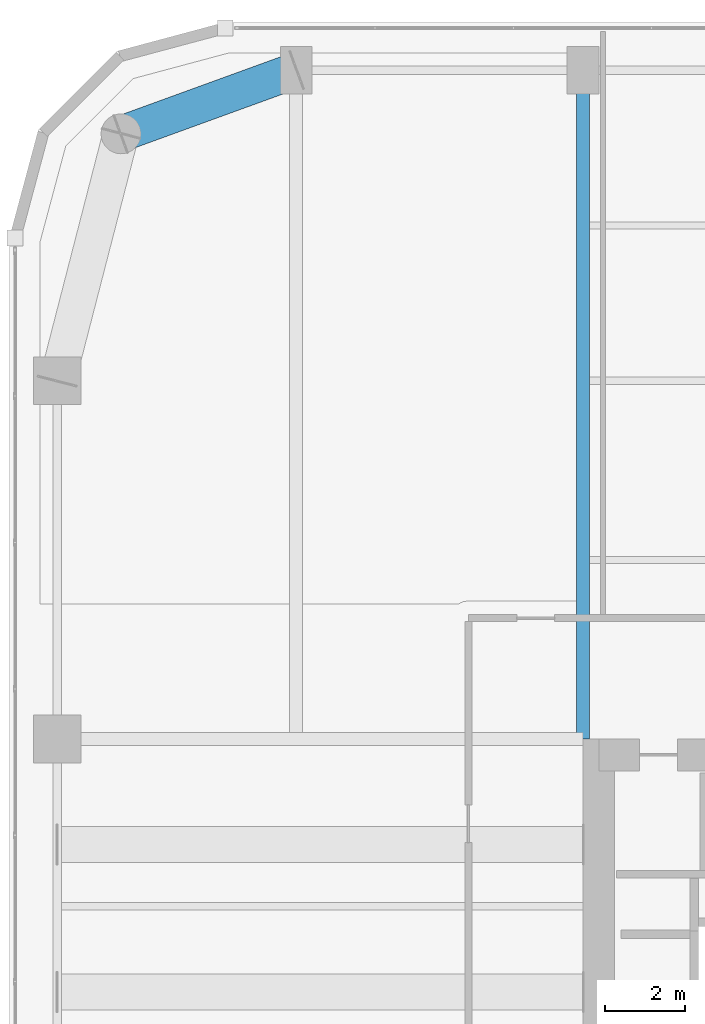
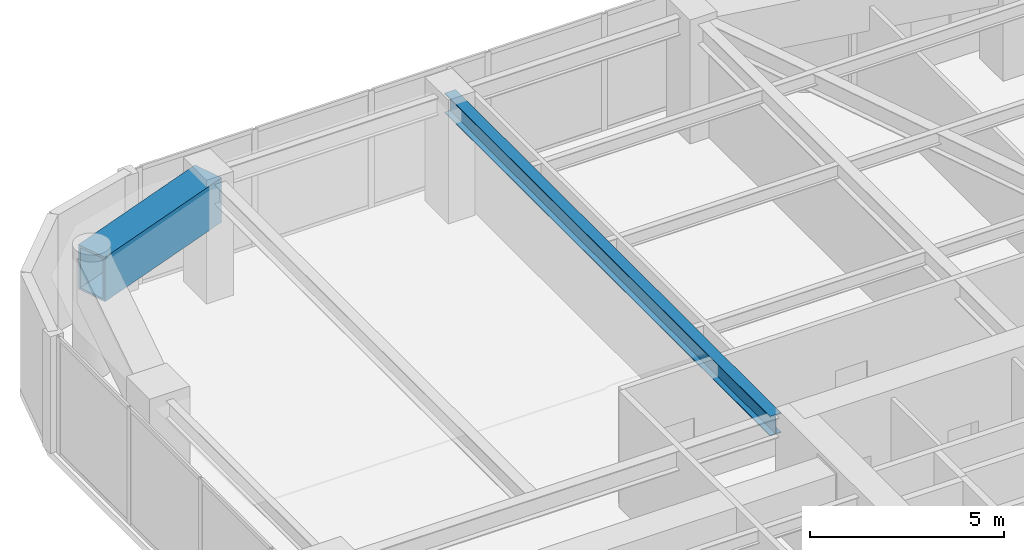
# One storey, part 16 of 30: 2 beams.
"""IFC4 building model written with IfcOpenShell, lengths in metres."""

from ifc_helpers import new_model, si_unit, direction, frame, origin, origin_2d, place, context, subcontext, project, spatial, hollow_rectangle, i_section, extrude, material, material_profile, profile_set, type_object, element, save


model = new_model("IFC4")

# Units and contexts
model_context = context("Model", 3, precision=1e-05, world=origin(), true_north=direction((0.0, 1.0)))
body_context = subcontext(model_context, "Body", "Model", "MODEL_VIEW")
ifc_project = project(units=[si_unit("LENGTHUNIT", "METRE"), si_unit("AREAUNIT", "SQUARE_METRE"), si_unit("VOLUMEUNIT", "CUBIC_METRE"), si_unit("PLANEANGLEUNIT", "RADIAN"), si_unit("MASSUNIT", "GRAM", prefix="KILO")], contexts=[model_context])

# Site, building, storey
site_placement = place(None, origin())
site = spatial("IfcSite", under=ifc_project, at=site_placement, CompositionType="ELEMENT")
building_placement = place(site_placement, origin())
building = spatial("IfcBuilding", under=site, at=building_placement, Name="Kiyonajd Concourse Tower", CompositionType="ELEMENT")
storey_placement = place(building_placement, frame((0.0, 0.0, 177.89990234375)))
storey = spatial("IfcBuildingStorey", under=building, at=storey_placement, Name="L45", CompositionType="ELEMENT", Elevation=177.89990234375)

# Beams
ifc_material_1 = material(Name="Steel ASTM A992 Grade 50", Category="steel")
ifc_material_profile_1 = material_profile(ifc_material_1, i_section(OverallWidth=0.326904296875, OverallDepth=0.6220703125, WebThickness=0.015380859375, FlangeThickness=0.0244140625, at=origin_2d()), Name="W610X195")
ifc_profile_set_1 = profile_set([ifc_material_profile_1], Name="Steel ASTM A992 Grade 50")
beam_type_1 = type_object("IfcBeamType", Name="BM-TWR-610A", PredefinedType="BEAM", material=ifc_profile_set_1)
beam_1_placement = place(storey_placement, frame((32.39990234375, 44.39990234375, 3.369140625), z_axis=(0.0, 1.0, 0.0), x_axis=(-1.0, 0.0, 0.0)))
element("IfcBeam", 1, at=beam_1_placement, inside=storey, type_object=beam_type_1, Name="L45 North Lease Girder", PredefinedType="BEAM", context=body_context, shape_type="SweptSolid", body=[
    extrude(i_section(OverallWidth=0.326904296875, OverallDepth=0.6220703125, WebThickness=0.015380859375, FlangeThickness=0.0244140625, at=origin_2d()), origin(), (0.0, 0.0, 1.0), 16.800048828125),
])
ifc_material_2 = material(Name="Steel ASTM A572 Grade 50", Category="steel")
ifc_material_profile_2 = material_profile(ifc_material_2, hollow_rectangle(XDim=0.89990234375, YDim=1.39990234375, WallThickness=0.070068359375, at=origin_2d()), Name="BOX-1400x900x70")
ifc_profile_set_2 = profile_set([ifc_material_profile_2], Name="Steel ASTM A572 Grade 50")
beam_type_2 = type_object("IfcBeamType", Name="BM-XFER-1400", PredefinedType="BEAM", material=ifc_profile_set_2)
beam_2_placement = place(storey_placement, frame((25.199951171875, 61.199951171875, 2.97998046875), z_axis=(-0.939801036019, -0.341722127901, 0.0), x_axis=(0.341722127901, -0.939801036019, 0.0)))
element("IfcBeam", 2, at=beam_2_placement, inside=storey, type_object=beam_type_2, Name="L45 Perimeter Bundled Tube Spandrel", PredefinedType="BEAM", context=body_context, shape_type="SweptSolid", body=[
    extrude(hollow_rectangle(XDim=0.89990234375, YDim=1.39990234375, WallThickness=0.070068359375, at=origin_2d()), origin(), (0.0, 0.0, 1.0), 4.681640625),
])

save(model, "model.ifc")
